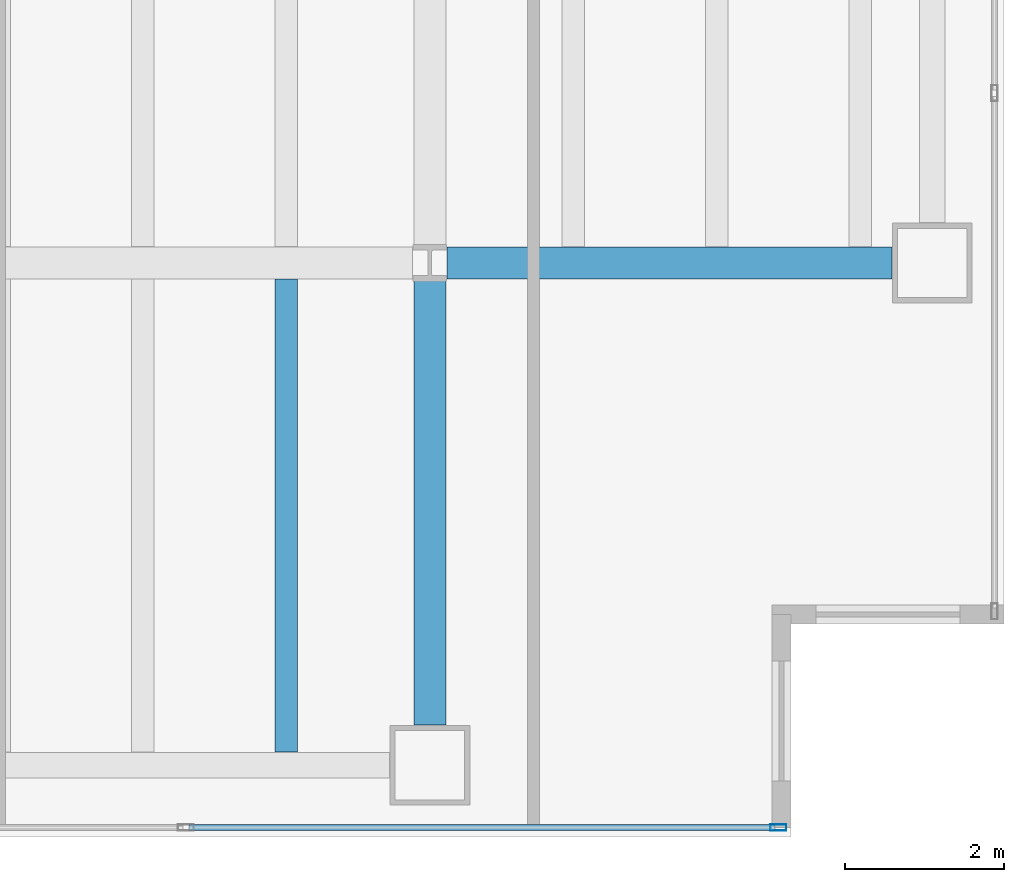
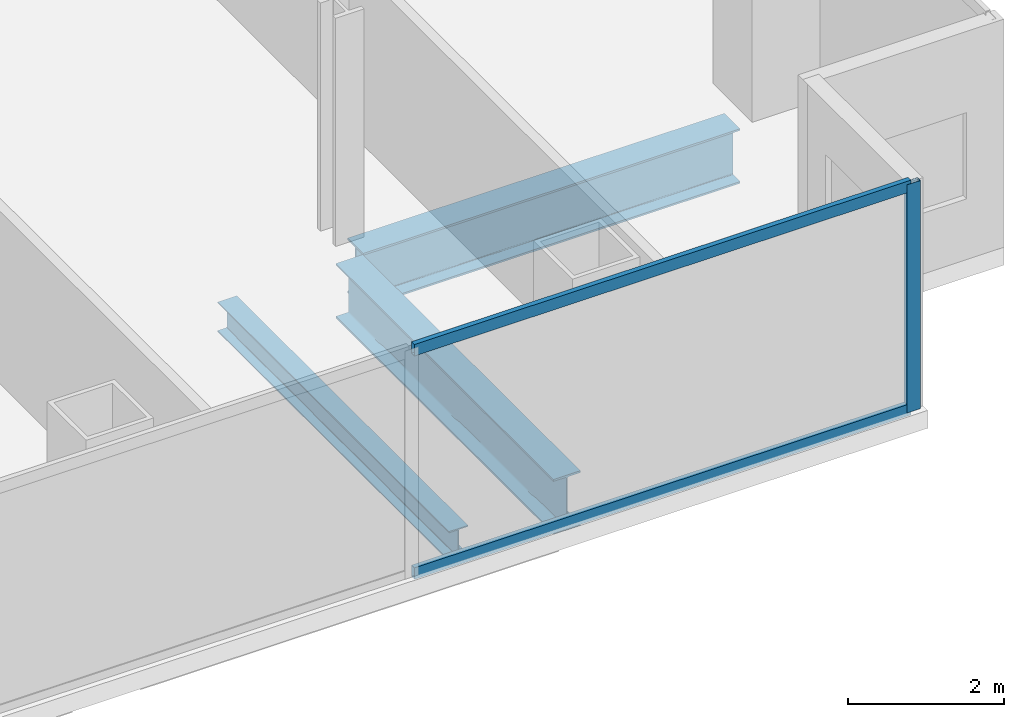
# One storey, part 8 of 23: 3 beams, 3 members, 1 element without a shape of its own.
"""IFC4 building model written with IfcOpenShell, lengths in metres."""

from ifc_helpers import new_model, si_unit, direction, frame, origin, origin_2d, place, context, subcontext, project, spatial, hollow_rectangle, i_section, extrude, material, material_profile, profile_set, type_object, element, aggregate, save


model = new_model("IFC4")

# Units and contexts
model_context = context("Model", 3, precision=1e-05, world=origin(), true_north=direction((0.0, 1.0)))
body_context = subcontext(model_context, "Body", "Model", "MODEL_VIEW")
ifc_project = project(units=[si_unit("LENGTHUNIT", "METRE"), si_unit("AREAUNIT", "SQUARE_METRE"), si_unit("VOLUMEUNIT", "CUBIC_METRE"), si_unit("PLANEANGLEUNIT", "RADIAN"), si_unit("MASSUNIT", "GRAM", prefix="KILO")], contexts=[model_context])

# Site, building, storey
site_placement = place(None, origin())
site = spatial("IfcSite", under=ifc_project, at=site_placement, CompositionType="ELEMENT")
building_placement = place(site_placement, origin())
building = spatial("IfcBuilding", under=site, at=building_placement, Name="Cobrela Telecom Tower", CompositionType="ELEMENT")
storey_placement = place(building_placement, frame((0.0, 0.0, 50.39990234375)))
storey = spatial("IfcBuildingStorey", under=building, at=storey_placement, Name="L12", CompositionType="ELEMENT", Elevation=50.39990234375)

# Beams
ifc_material_1 = material(Name="Steel ASTM A992 Grade 50", Category="steel")
ifc_material_profile_1 = material_profile(ifc_material_1, i_section(OverallWidth=0.39892578125, OverallDepth=0.85595703125, WebThickness=0.018310546875, FlangeThickness=0.029296875, FilletRadius=0.02001953125, at=origin_2d()), Name="W33X201")
ifc_profile_set_1 = profile_set([ifc_material_profile_1], Name="Steel ASTM A992 Grade 50")
beam_type_1 = type_object("IfcBeamType", Name="BM-GIRD-03", PredefinedType="USERDEFINED", material=ifc_profile_set_1)
beam_1_placement = place(storey_placement, frame((43.416015625, 7.199951171875, -0.7080078125), z_axis=(1.0, 0.0, 0.0), x_axis=(0.0, 1.0, 0.0)))
element("IfcBeam", 1, at=beam_1_placement, inside=storey, type_object=beam_type_1, Name="L12 Primary Girder X12", ObjectType="GIRDER", PredefinedType="USERDEFINED", context=body_context, shape_type="SweptSolid", body=[
    extrude(i_section(OverallWidth=0.39892578125, OverallDepth=0.85595703125, WebThickness=0.018310546875, FlangeThickness=0.029296875, FilletRadius=0.02001953125, at=origin_2d()), origin(), (0.0, 0.0, 1.0), 5.5791015625),
])
beam_2_placement = place(storey_placement, frame((43.199951171875, 1.405029296875, -0.7080078125), z_axis=(0.0, 1.0, 0.0), x_axis=(-1.0, 0.0, 0.0)))
element("IfcBeam", 2, at=beam_2_placement, inside=storey, type_object=beam_type_1, Name="L12 Primary Girder Y53", ObjectType="GIRDER", PredefinedType="USERDEFINED", context=body_context, shape_type="SweptSolid", body=[
    extrude(i_section(OverallWidth=0.39892578125, OverallDepth=0.85595703125, WebThickness=0.018310546875, FlangeThickness=0.029296875, FilletRadius=0.02001953125, at=origin_2d()), origin(), (0.0, 0.0, 1.0), 5.578857421875),
])
ifc_material_profile_2 = material_profile(ifc_material_1, i_section(OverallWidth=0.281982421875, OverallDepth=0.467041015625, WebThickness=0.01220703125, FlangeThickness=0.01953125, FilletRadius=0.012939453125, at=origin_2d()), Name="W18X86")
ifc_profile_set_2 = profile_set([ifc_material_profile_2], Name="Steel ASTM A992 Grade 50")
beam_type_2 = type_object("IfcBeamType", Name="BM-JOIST-02", PredefinedType="JOIST", material=ifc_profile_set_2)
beam_3_placement = place(storey_placement, frame((41.39990234375, 1.0673828125, -0.513427734375), z_axis=(0.0, 1.0, 0.0), x_axis=(-1.0, 0.0, 0.0)))
element("IfcBeam", 3, at=beam_3_placement, inside=storey, type_object=beam_type_2, Name="L12 Secondary Composite Floor Beam J56", PredefinedType="JOIST", context=body_context, shape_type="SweptSolid", body=[
    extrude(i_section(OverallWidth=0.281982421875, OverallDepth=0.467041015625, WebThickness=0.01220703125, FlangeThickness=0.01953125, FilletRadius=0.012939453125, at=origin_2d()), origin(), (0.0, 0.0, 1.0), 5.92822265625),
])

# Curtain wall, members
ifc_material_2 = material(Name="Anodized Bronze Aluminium 6063-T6", Category="aluminium")
curtain_wall_type = type_object("IfcCurtainWallType", Name="CW-SYS-DATA", PredefinedType="USERDEFINED", material=ifc_material_2)
curtain_wall_placement = place(storey_placement, origin())
curtain_wall = element("IfcCurtainWall", 4, at=curtain_wall_placement, inside=storey, type_object=curtain_wall_type, Name="L12 Unitised Bronze Curtain Wall 17", ObjectType="UNITISED CURTAIN WALL", PredefinedType="USERDEFINED")
ifc_material_profile_3 = material_profile(ifc_material_2, hollow_rectangle(XDim=0.080078125, YDim=0.199951171875, WallThickness=0.00390625, at=origin_2d()), Name="ALU 80x200x4")
ifc_profile_set_3 = profile_set([ifc_material_profile_3], Name="Anodized Bronze Aluminium 6063-T6")
member_type_1 = type_object("IfcMemberType", Name="CW-SYS-DATA-MUL", PredefinedType="MULLION", material=ifc_profile_set_3)
member_1_placement = place(storey_placement, frame((47.570068359375, 0.1201171875, 0.0), z_axis=(0.0, 0.0, 1.0), x_axis=(0.0, -1.0, 0.0)))
member_1 = element("IfcMember", 5, at=member_1_placement, type_object=member_type_1, Name="CW-DATA mullion 1", PredefinedType="MULLION", context=body_context, shape_type="SweptSolid", body=[
    extrude(hollow_rectangle(XDim=0.080078125, YDim=0.199951171875, WallThickness=0.00390625, at=origin_2d()), origin(), (0.0, 0.0, 1.0), 3.570068359375),
])
ifc_material_profile_4 = material_profile(ifc_material_2, hollow_rectangle(XDim=0.074951171875, YDim=0.179931640625, WallThickness=0.00390625, at=origin_2d()), Name="ALU 75x180x4")
ifc_profile_set_4 = profile_set([ifc_material_profile_4], Name="Anodized Bronze Aluminium 6063-T6")
member_type_2 = type_object("IfcMemberType", Name="CW-SYS-DATA-TRN", PredefinedType="USERDEFINED", material=ifc_profile_set_4)
member_2_placement = place(storey_placement, frame((47.530029296875, 0.1201171875, 0.03759765625), z_axis=(-1.0, 0.0, 0.0), x_axis=(0.0, -1.0, 0.0)))
member_2 = element("IfcMember", 6, at=member_2_placement, type_object=member_type_2, Name="CW-DATA transom 1.1", ObjectType="TRANSOM", PredefinedType="USERDEFINED", context=body_context, shape_type="SweptSolid", body=[
    extrude(hollow_rectangle(XDim=0.074951171875, YDim=0.179931640625, WallThickness=0.00390625, at=origin_2d()), origin(), (0.0, 0.0, 1.0), 7.35009765625),
])
member_3_placement = place(storey_placement, frame((47.530029296875, 0.1201171875, 3.53271484375), z_axis=(-1.0, 0.0, 0.0), x_axis=(0.0, -1.0, 0.0)))
member_3 = element("IfcMember", 7, at=member_3_placement, type_object=member_type_2, Name="CW-DATA transom 1.2", ObjectType="TRANSOM", PredefinedType="USERDEFINED", context=body_context, shape_type="SweptSolid", body=[
    extrude(hollow_rectangle(XDim=0.074951171875, YDim=0.179931640625, WallThickness=0.00390625, at=origin_2d()), origin(), (0.0, 0.0, 1.0), 7.35009765625),
])
aggregate(curtain_wall, [member_1, member_2, member_3])

save(model, "model.ifc")
